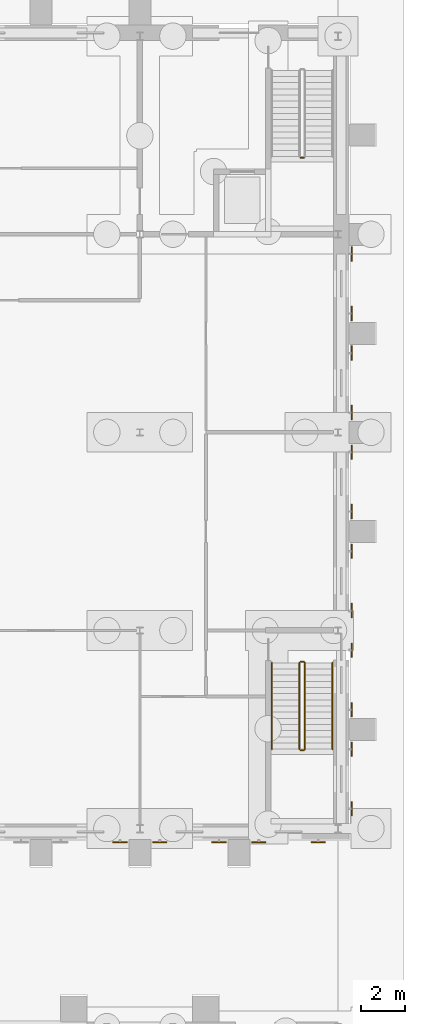
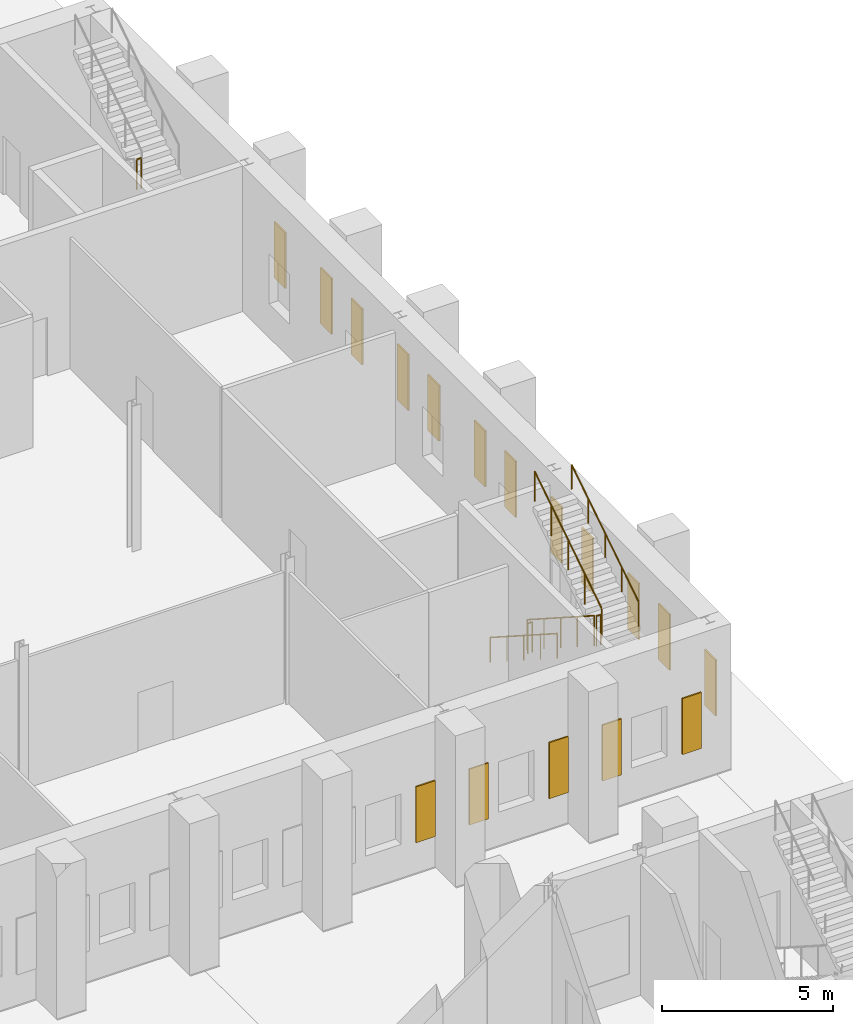
# One storey, part 158 of 168: 17 shading devices, 7 railings.
"""IFC4 building model written with IfcOpenShell, lengths in metres."""

from ifc_helpers import new_model, si_unit, direction, frame, origin, origin_2d, place, context, subcontext, project, spatial, rectangle, circle, extrude, material, type_object, element, save


model = new_model("IFC4")

# Units and contexts
model_context = context("Model", 3, precision=1e-05, world=origin(), true_north=direction((0.0, 1.0)))
body_context = subcontext(model_context, "Body", "Model", "MODEL_VIEW")
ifc_project = project(units=[si_unit("LENGTHUNIT", "METRE"), si_unit("AREAUNIT", "SQUARE_METRE"), si_unit("VOLUMEUNIT", "CUBIC_METRE"), si_unit("PLANEANGLEUNIT", "RADIAN"), si_unit("MASSUNIT", "GRAM", prefix="KILO")], contexts=[model_context])

# Site, building, storey
site_placement = place(None, origin())
site = spatial("IfcSite", under=ifc_project, at=site_placement, CompositionType="ELEMENT")
building_placement = place(site_placement, origin())
building = spatial("IfcBuilding", under=site, at=building_placement, Name="Golden Quay Civic Hall", CompositionType="ELEMENT")
storey_placement = place(building_placement, origin())
storey = spatial("IfcBuildingStorey", under=building, at=storey_placement, Name="L00", CompositionType="ELEMENT", Elevation=0.0)

# Railings
ifc_material_1 = material(Name="Steel S355", Category="steel")
railing_type_1 = type_object("IfcRailingType", Name="Steel guard 1100", PredefinedType="GUARDRAIL", material=ifc_material_1)
railing_1_placement = place(storey_placement, frame((169.300048828125, 93.47998046875, 2.699951171875)))
element("IfcRailing", 1, at=railing_1_placement, inside=storey, type_object=railing_type_1, Name="L00 LB-STE stair guard 2", PredefinedType="GUARDRAIL", context=body_context, shape_type="SweptSolid", body=[
    extrude(circle(Radius=0.02392578125, at=origin_2d()), frame((0.0, 0.0, 1.076171875), z_axis=(1.0, 0.0, 0.0), x_axis=(0.0, 1.0, 0.0)), (0.0, 0.0, 1.0), 0.14990234375),
    extrude(circle(Radius=0.02099609375, at=origin_2d()), origin(), (0.0, 0.0, 1.0), 1.052001953125),
    extrude(circle(Radius=0.02099609375, at=origin_2d()), frame((0.14990234375, 0.0, 0.0)), (0.0, 0.0, 1.0), 1.052001953125),
])
railing_2_placement = place(storey_placement, frame((169.25, 70.52490234375, 0.179931640625)))
element("IfcRailing", 2, at=railing_2_placement, inside=storey, type_object=railing_type_1, Name="L00 LB-STS stair guard 1", PredefinedType="GUARDRAIL", context=body_context, shape_type="SweptSolid", body=[
    extrude(circle(Radius=0.02392578125, at=origin_2d()), frame((0.0, 0.0, 1.076171875), z_axis=(0.0, -0.841171666519, 0.540768182723), x_axis=(1.0, 0.0, 0.0)), (0.0, 0.0, 1.0), 4.66015625),
    extrude(circle(Radius=0.02099609375, at=origin_2d()), origin(), (0.0, 0.0, 1.0), 1.052001953125),
    extrude(circle(Radius=0.02099609375, at=origin_2d()), frame((0.0, -0.97998046875, 0.6298828125)), (0.0, 0.0, 1.0), 1.052001953125),
    extrude(circle(Radius=0.02099609375, at=origin_2d()), frame((0.0, -1.9599609375, 1.260009765625)), (0.0, 0.0, 1.0), 1.052001953125),
    extrude(circle(Radius=0.02099609375, at=origin_2d()), frame((0.0, -2.93994140625, 1.89013671875)), (0.0, 0.0, 1.0), 1.052001953125),
    extrude(circle(Radius=0.02099609375, at=origin_2d()), frame((0.0, -3.919921875, 2.52001953125)), (0.0, 0.0, 1.0), 1.052001953125),
])
railing_3_placement = place(storey_placement, frame((169.300048828125, 66.554931640625, 2.699951171875)))
element("IfcRailing", 3, at=railing_3_placement, inside=storey, type_object=railing_type_1, Name="L00 LB-STS stair guard 2", PredefinedType="GUARDRAIL", context=body_context, shape_type="SweptSolid", body=[
    extrude(circle(Radius=0.02392578125, at=origin_2d()), frame((0.0, 0.0, 1.076171875), z_axis=(1.0, 0.0, 0.0), x_axis=(0.0, 1.0, 0.0)), (0.0, 0.0, 1.0), 0.14990234375),
    extrude(circle(Radius=0.02099609375, at=origin_2d()), origin(), (0.0, 0.0, 1.0), 1.052001953125),
    extrude(circle(Radius=0.02099609375, at=origin_2d()), frame((0.14990234375, 0.0, 0.0)), (0.0, 0.0, 1.0), 1.052001953125),
])
railing_4_placement = place(storey_placement, frame((169.5, 66.60498046875, 2.8798828125)))
element("IfcRailing", 4, at=railing_4_placement, inside=storey, type_object=railing_type_1, Name="L00 LB-STS stair guard 3", PredefinedType="GUARDRAIL", context=body_context, shape_type="SweptSolid", body=[
    extrude(circle(Radius=0.02392578125, at=origin_2d()), frame((0.0, 0.0, 1.076171875), z_axis=(0.0, 0.841171666519, 0.540768182723), x_axis=(-1.0, 0.0, 0.0)), (0.0, 0.0, 1.0), 4.66015625),
    extrude(circle(Radius=0.02099609375, at=origin_2d()), origin(), (0.0, 0.0, 1.0), 1.052001953125),
    extrude(circle(Radius=0.02099609375, at=origin_2d()), frame((0.0, 0.97998046875, 0.6298828125)), (0.0, 0.0, 1.0), 1.052001953125),
    extrude(circle(Radius=0.02099609375, at=origin_2d()), frame((0.0, 1.9599609375, 1.260009765625)), (0.0, 0.0, 1.0), 1.052001953125),
    extrude(circle(Radius=0.02099609375, at=origin_2d()), frame((0.0, 2.93994140625, 1.89013671875)), (0.0, 0.0, 1.0), 1.052001953125),
    extrude(circle(Radius=0.02099609375, at=origin_2d()), frame((0.0, 3.919921875, 2.52001953125)), (0.0, 0.0, 1.0), 1.052001953125),
])
railing_5_placement = place(storey_placement, frame((169.300048828125, 70.574951171875, 0.0)))
element("IfcRailing", 5, at=railing_5_placement, inside=storey, type_object=railing_type_1, Name="L00 LB-STS stair guard 4", PredefinedType="GUARDRAIL", context=body_context, shape_type="SweptSolid", body=[
    extrude(circle(Radius=0.02392578125, at=origin_2d()), frame((0.0, 0.0, 1.076171875), z_axis=(1.0, 0.0, 0.0), x_axis=(0.0, 1.0, 0.0)), (0.0, 0.0, 1.0), 0.14990234375),
    extrude(circle(Radius=0.02099609375, at=origin_2d()), origin(), (0.0, 0.0, 1.0), 1.052001953125),
    extrude(circle(Radius=0.02099609375, at=origin_2d()), frame((0.14990234375, 0.0, 0.0)), (0.0, 0.0, 1.0), 1.052001953125),
])
ifc_material_2 = material(Name="Steel S355", Category="steel")
railing_type_2 = type_object("IfcRailingType", Name="Steel handrail 900", PredefinedType="HANDRAIL", material=ifc_material_2)
railing_6_placement = place(storey_placement, frame((168.0, 70.52490234375, 0.179931640625)))
element("IfcRailing", 6, at=railing_6_placement, inside=storey, type_object=railing_type_2, Name="L00 LB-STS stair handrail 1", PredefinedType="HANDRAIL", context=body_context, shape_type="SweptSolid", body=[
    extrude(circle(Radius=0.02392578125, at=origin_2d()), frame((0.0, 0.0, 0.8759765625), z_axis=(0.0, -0.841171666519, 0.540768182723), x_axis=(1.0, 0.0, 0.0)), (0.0, 0.0, 1.0), 4.66015625),
    extrude(circle(Radius=0.02099609375, at=origin_2d()), origin(), (0.0, 0.0, 1.0), 0.851806640625),
    extrude(circle(Radius=0.02099609375, at=origin_2d()), frame((0.0, -0.97998046875, 0.6298828125)), (0.0, 0.0, 1.0), 0.851806640625),
    extrude(circle(Radius=0.02099609375, at=origin_2d()), frame((0.0, -1.9599609375, 1.260009765625)), (0.0, 0.0, 1.0), 0.851806640625),
    extrude(circle(Radius=0.02099609375, at=origin_2d()), frame((0.0, -2.93994140625, 1.89013671875)), (0.0, 0.0, 1.0), 0.851806640625),
    extrude(circle(Radius=0.02099609375, at=origin_2d()), frame((0.0, -3.919921875, 2.52001953125)), (0.0, 0.0, 1.0), 0.851806640625),
])
railing_7_placement = place(storey_placement, frame((170.75, 66.60498046875, 2.8798828125)))
element("IfcRailing", 7, at=railing_7_placement, inside=storey, type_object=railing_type_2, Name="L00 LB-STS stair handrail 2", PredefinedType="HANDRAIL", context=body_context, shape_type="SweptSolid", body=[
    extrude(circle(Radius=0.02392578125, at=origin_2d()), frame((0.0, 0.0, 0.8759765625), z_axis=(0.0, 0.841171666519, 0.540768182723), x_axis=(-1.0, 0.0, 0.0)), (0.0, 0.0, 1.0), 4.66015625),
    extrude(circle(Radius=0.02099609375, at=origin_2d()), origin(), (0.0, 0.0, 1.0), 0.851806640625),
    extrude(circle(Radius=0.02099609375, at=origin_2d()), frame((0.0, 0.97998046875, 0.6298828125)), (0.0, 0.0, 1.0), 0.851806640625),
    extrude(circle(Radius=0.02099609375, at=origin_2d()), frame((0.0, 1.9599609375, 1.260009765625)), (0.0, 0.0, 1.0), 0.851806640625),
    extrude(circle(Radius=0.02099609375, at=origin_2d()), frame((0.0, 2.93994140625, 1.89013671875)), (0.0, 0.0, 1.0), 0.851806640625),
    extrude(circle(Radius=0.02099609375, at=origin_2d()), frame((0.0, 3.919921875, 2.52001953125)), (0.0, 0.0, 1.0), 0.851806640625),
])

# Shading devices
ifc_material_3 = material(Name="Timber", Category="wood")
shading_device_type = type_object("IfcShadingDeviceType", Name="Timber storm shutter leaf 650 x 2000", PredefinedType="SHUTTER", material=ifc_material_3)
for number, where, z_axis, x_axis, name in (
    (8, (161.10009765625, 62.375, 1.199951171875), (0.0, 0.0, 1.0), (1.0, 0.0, 0.0), "Storm shutter L00-S427b"),
    (9, (162.89990234375, 62.375, 1.199951171875), (0.0, 0.0, 1.0), (1.0, 0.0, 0.0), "Storm shutter L00-S472a"),
    (10, (165.60009765625, 62.375, 1.199951171875), (0.0, 0.0, 1.0), (1.0, 0.0, 0.0), "Storm shutter L00-S472b"),
    (11, (167.39990234375, 62.375, 1.199951171875), (0.0, 0.0, 1.0), (1.0, 0.0, 0.0), "Storm shutter L00-S517a"),
    (12, (170.10009765625, 62.375, 1.199951171875), (0.0, 0.0, 1.0), (1.0, 0.0, 0.0), "Storm shutter L00-S517b"),
):
    element("IfcShadingDevice", number, at=place(storey_placement, frame(where, z_axis=z_axis, x_axis=x_axis)), inside=storey, type_object=shading_device_type, Name=name, PredefinedType="SHUTTER", context=body_context, shape_type="SweptSolid", body=[
        extrude(rectangle(XDim=0.64990234375, YDim=0.050048828125, at=origin_2d()), origin(), (0.0, 0.0, 1.0), 2.0),
    ])
for number, where, z_axis, x_axis, name in (
    (13, (171.625, 63.89990234375, 1.199951171875), (0.0, 0.0, 1.0), (1.0, 0.0, 0.0), "Storm shutter L00-E22a"),
    (14, (171.625, 66.60009765625, 1.199951171875), (0.0, 0.0, 1.0), (1.0, 0.0, 0.0), "Storm shutter L00-E22b"),
    (15, (171.625, 68.39990234375, 1.199951171875), (0.0, 0.0, 1.0), (1.0, 0.0, 0.0), "Storm shutter L00-E67a"),
    (16, (171.625, 71.10009765625, 1.199951171875), (0.0, 0.0, 1.0), (1.0, 0.0, 0.0), "Storm shutter L00-E67b"),
    (17, (171.625, 72.89990234375, 1.199951171875), (0.0, 0.0, 1.0), (1.0, 0.0, 0.0), "Storm shutter L00-E112a"),
    (18, (171.625, 75.60009765625, 1.199951171875), (0.0, 0.0, 1.0), (1.0, 0.0, 0.0), "Storm shutter L00-E112b"),
    (19, (171.625, 77.39990234375, 1.199951171875), (0.0, 0.0, 1.0), (1.0, 0.0, 0.0), "Storm shutter L00-E157a"),
    (20, (171.625, 80.10009765625, 1.199951171875), (0.0, 0.0, 1.0), (1.0, 0.0, 0.0), "Storm shutter L00-E157b"),
    (21, (171.625, 81.89990234375, 1.199951171875), (0.0, 0.0, 1.0), (1.0, 0.0, 0.0), "Storm shutter L00-E202a"),
    (22, (171.625, 84.60009765625, 1.199951171875), (0.0, 0.0, 1.0), (1.0, 0.0, 0.0), "Storm shutter L00-E202b"),
    (23, (171.625, 86.39990234375, 1.199951171875), (0.0, 0.0, 1.0), (1.0, 0.0, 0.0), "Storm shutter L00-E247a"),
    (24, (171.625, 89.10009765625, 1.199951171875), (0.0, 0.0, 1.0), (1.0, 0.0, 0.0), "Storm shutter L00-E247b"),
):
    element("IfcShadingDevice", number, at=place(storey_placement, frame(where, z_axis=z_axis, x_axis=x_axis)), inside=storey, type_object=shading_device_type, Name=name, PredefinedType="SHUTTER", context=body_context, shape_type="SweptSolid", body=[
        extrude(rectangle(XDim=0.050048828125, YDim=0.64990234375, at=origin_2d()), origin(), (0.0, 0.0, 1.0), 2.0),
    ])

save(model, "model.ifc")
